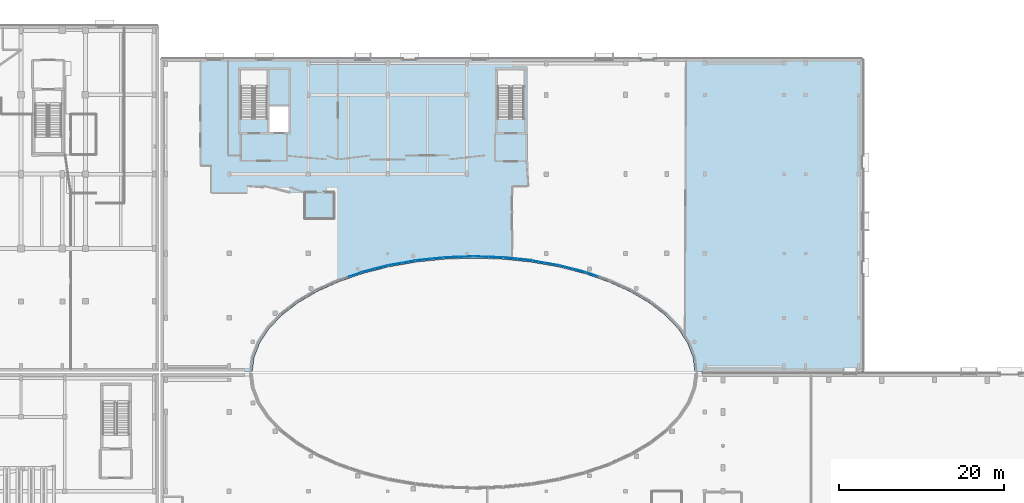
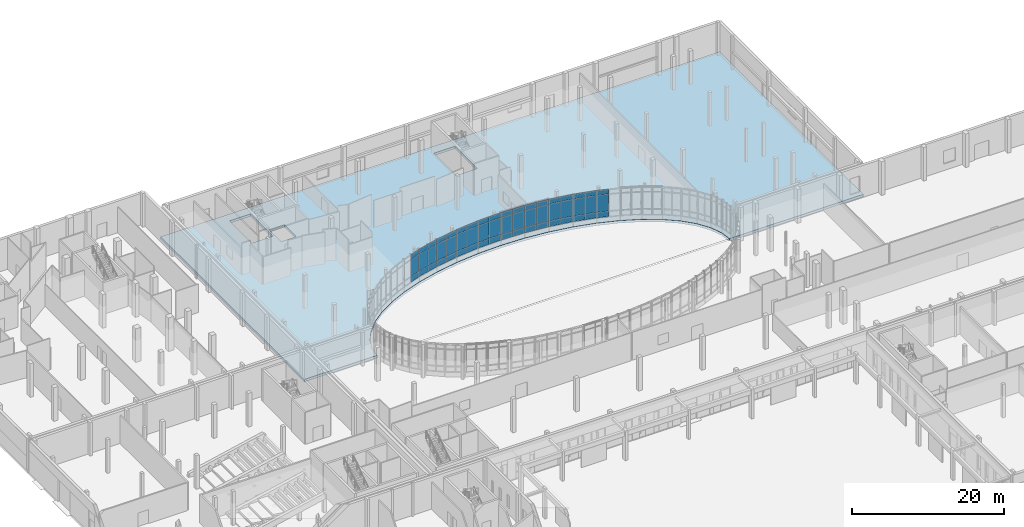
# One storey, part 34 of 84: 54 plates, 1 slab, 10 elements without a shape of their own.
"""IFC4 building model written with IfcOpenShell, lengths in metres."""

from ifc_helpers import new_model, si_unit, direction, frame, origin, origin_2d, place, context, subcontext, project, spatial, polyline, rectangle, outline, extrude, material, layer, layer_set, type_object, element, aggregate, save


model = new_model("IFC4")

# Units and contexts
model_context = context("Model", 3, precision=1e-05, world=origin(), true_north=direction((0.0, 1.0)))
body_context = subcontext(model_context, "Body", "Model", "MODEL_VIEW")
ifc_project = project(units=[si_unit("LENGTHUNIT", "METRE"), si_unit("AREAUNIT", "SQUARE_METRE"), si_unit("VOLUMEUNIT", "CUBIC_METRE"), si_unit("PLANEANGLEUNIT", "RADIAN"), si_unit("MASSUNIT", "GRAM", prefix="KILO")], contexts=[model_context])

# Site, building, storey
site_placement = place(None, origin())
site = spatial("IfcSite", under=ifc_project, at=site_placement, CompositionType="ELEMENT")
building_placement = place(site_placement, origin())
building = spatial("IfcBuilding", under=site, at=building_placement, Name="Mzevani Central Library", CompositionType="ELEMENT")
storey_placement = place(building_placement, origin())
storey = spatial("IfcBuildingStorey", under=building, at=storey_placement, Name="L00", CompositionType="ELEMENT", Elevation=0.0)

# Curtain wall, plate
ifc_material_1 = material(Name="Thermally broken aluminium and Low-E triple glazing", Category="aluminium")
curtain_wall_type_1 = type_object("IfcCurtainWallType", Name="Elliptical Court Unitised Curtain Wall", PredefinedType="NOTDEFINED", material=ifc_material_1)
curtain_wall_1_placement = place(storey_placement, origin())
curtain_wall_1 = element("IfcCurtainWall", 1, at=curtain_wall_1_placement, inside=storey, type_object=curtain_wall_type_1, Name="L00 Elliptical Court Curtain Wall 8", PredefinedType="NOTDEFINED")
ifc_material_2 = material(Name="Thermally broken aluminium AW-6060", Category="aluminium")
ifc_layer_1 = layer(ifc_material_2, 0.0419921875, Name="CW Insulated Spandrel Panel 42")
ifc_layer_set_1 = layer_set([ifc_layer_1], Name="Thermally broken aluminium AW-6060")
plate_type_1 = type_object("IfcPlateType", Name="CW Insulated Spandrel Panel 42", PredefinedType="CURTAIN_PANEL", material=ifc_layer_set_1)
plate_1_placement = place(storey_placement, frame((98.302978515625, 87.84521484375, 0.719970703125), z_axis=(0.0, 0.0, 1.0), x_axis=(-0.945503232512, 0.325612710609, 0.0)))
plate_1 = element("IfcPlate", 2, at=plate_1_placement, type_object=plate_type_1, Name="L00 Elliptical Court Curtain Wall 8 Spandrel Panel 4", PredefinedType="CURTAIN_PANEL", context=body_context, shape_type="SweptSolid", body=[
    extrude(rectangle(XDim=1.54150390625, YDim=0.0419921875, at=origin_2d()), origin(), (0.0, 0.0, 1.0), 0.89990234375),
])

# Curtain wall, plates
curtain_wall_2_placement = place(storey_placement, origin())
curtain_wall_2 = element("IfcCurtainWall", 3, at=curtain_wall_2_placement, inside=storey, type_object=curtain_wall_type_1, Name="L00 Elliptical Court Curtain Wall 9", PredefinedType="NOTDEFINED")
plate_2_placement = place(storey_placement, frame((96.76611328125, 88.320556640625, 0.719970703125), z_axis=(0.0, 0.0, 1.0), x_axis=(-0.969186643336, 0.246327526638, 0.0)))
plate_2 = element("IfcPlate", 4, at=plate_2_placement, type_object=plate_type_1, Name="L00 Elliptical Court Curtain Wall 9 Spandrel Panel 1", PredefinedType="CURTAIN_PANEL", context=body_context, shape_type="SweptSolid", body=[
    extrude(rectangle(XDim=1.6220703125, YDim=0.0419921875, at=origin_2d()), origin(), (0.0, 0.0, 1.0), 0.89990234375),
])
plate_3_placement = place(storey_placement, frame((95.194091796875, 88.72021484375, 0.719970703125), z_axis=(0.0, 0.0, 1.0), x_axis=(-0.969186643336, 0.246327526638, 0.0)))
plate_3 = element("IfcPlate", 5, at=plate_3_placement, type_object=plate_type_1, Name="L00 Elliptical Court Curtain Wall 9 Spandrel Panel 4", PredefinedType="CURTAIN_PANEL", context=body_context, shape_type="SweptSolid", body=[
    extrude(rectangle(XDim=1.6220703125, YDim=0.0419921875, at=origin_2d()), origin(), (0.0, 0.0, 1.0), 0.89990234375),
])

curtain_wall_type_2 = type_object("IfcCurtainWallType", Name="Reading Hall Northlight Curtain Wall", PredefinedType="NOTDEFINED", material=ifc_material_1)
curtain_wall_3_placement = place(storey_placement, origin())
curtain_wall_3 = element("IfcCurtainWall", 6, at=curtain_wall_3_placement, inside=storey, type_object=curtain_wall_type_2, Name="L00 Elliptical Court Curtain Wall 10", PredefinedType="NOTDEFINED")
plate_4_placement = place(storey_placement, frame((93.547119140625, 89.08984375, 0.719970703125), z_axis=(0.0, 0.0, 1.0), x_axis=(-0.985036019044, 0.172348603667, 0.0)))
plate_4 = element("IfcPlate", 7, at=plate_4_placement, type_object=plate_type_1, Name="L00 Elliptical Court Curtain Wall 10 Spandrel Panel 1", PredefinedType="CURTAIN_PANEL", context=body_context, shape_type="SweptSolid", body=[
    extrude(rectangle(XDim=1.68505859375, YDim=0.0419921875, at=origin_2d()), origin(), (0.0, 0.0, 1.0), 0.89990234375),
])
plate_5_placement = place(storey_placement, frame((91.88720703125, 89.380126953125, 0.719970703125), z_axis=(0.0, 0.0, 1.0), x_axis=(-0.985036019044, 0.172348603667, 0.0)))
plate_5 = element("IfcPlate", 8, at=plate_5_placement, type_object=plate_type_1, Name="L00 Elliptical Court Curtain Wall 10 Spandrel Panel 4", PredefinedType="CURTAIN_PANEL", context=body_context, shape_type="SweptSolid", body=[
    extrude(rectangle(XDim=1.68505859375, YDim=0.0419921875, at=origin_2d()), origin(), (0.0, 0.0, 1.0), 0.89990234375),
])

curtain_wall_4_placement = place(storey_placement, origin())
curtain_wall_4 = element("IfcCurtainWall", 9, at=curtain_wall_4_placement, inside=storey, type_object=curtain_wall_type_1, Name="L00 Elliptical Court Curtain Wall 11", PredefinedType="NOTDEFINED")
plate_6_placement = place(storey_placement, frame((90.156005859375, 89.635009765625, 0.719970703125), z_axis=(0.0, 0.0, 1.0), x_axis=(-0.994785735696, 0.101986960228, 0.0)))
plate_6 = element("IfcPlate", 10, at=plate_6_placement, type_object=plate_type_1, Name="L00 Elliptical Court Curtain Wall 11 Spandrel Panel 1", PredefinedType="CURTAIN_PANEL", context=body_context, shape_type="SweptSolid", body=[
    extrude(rectangle(XDim=1.728271484375, YDim=0.0419921875, at=origin_2d()), origin(), (0.0, 0.0, 1.0), 0.89990234375),
])
plate_7_placement = place(storey_placement, frame((88.436767578125, 89.811279296875, 0.719970703125), z_axis=(0.0, 0.0, 1.0), x_axis=(-0.994785735696, 0.101986960228, 0.0)))
plate_7 = element("IfcPlate", 11, at=plate_7_placement, type_object=plate_type_1, Name="L00 Elliptical Court Curtain Wall 11 Spandrel Panel 4", PredefinedType="CURTAIN_PANEL", context=body_context, shape_type="SweptSolid", body=[
    extrude(rectangle(XDim=1.728271484375, YDim=0.0419921875, at=origin_2d()), origin(), (0.0, 0.0, 1.0), 0.89990234375),
])

curtain_wall_5_placement = place(storey_placement, origin())
curtain_wall_5 = element("IfcCurtainWall", 12, at=curtain_wall_5_placement, inside=storey, type_object=curtain_wall_type_1, Name="L00 Elliptical Court Curtain Wall 12", PredefinedType="NOTDEFINED")
plate_8_placement = place(storey_placement, frame((86.6513671875, 89.94189453125, 0.719970703125), z_axis=(0.0, 0.0, 1.0), x_axis=(-0.999429599311, 0.03377093456, 0.0)))
plate_8 = element("IfcPlate", 13, at=plate_8_placement, type_object=plate_type_1, Name="L00 Elliptical Court Curtain Wall 12 Spandrel Panel 1", PredefinedType="CURTAIN_PANEL", context=body_context, shape_type="SweptSolid", body=[
    extrude(rectangle(XDim=1.75, YDim=0.0419921875, at=origin_2d()), origin(), (0.0, 0.0, 1.0), 0.89990234375),
])
plate_9_placement = place(storey_placement, frame((84.90234375, 90.0009765625, 0.719970703125), z_axis=(0.0, 0.0, 1.0), x_axis=(-0.999429599311, 0.03377093456, 0.0)))
plate_9 = element("IfcPlate", 14, at=plate_9_placement, type_object=plate_type_1, Name="L00 Elliptical Court Curtain Wall 12 Spandrel Panel 4", PredefinedType="CURTAIN_PANEL", context=body_context, shape_type="SweptSolid", body=[
    extrude(rectangle(XDim=1.75, YDim=0.0419921875, at=origin_2d()), origin(), (0.0, 0.0, 1.0), 0.89990234375),
])

curtain_wall_6_placement = place(storey_placement, origin())
curtain_wall_6 = element("IfcCurtainWall", 15, at=curtain_wall_6_placement, inside=storey, type_object=curtain_wall_type_2, Name="L00 Elliptical Court Curtain Wall 13", PredefinedType="NOTDEFINED")
plate_10_placement = place(storey_placement, frame((83.09765625, 90.0009765625, 0.719970703125), z_axis=(0.0, 0.0, 1.0), x_axis=(-0.999429599311, -0.03377093456, 0.0)))
plate_10 = element("IfcPlate", 16, at=plate_10_placement, type_object=plate_type_1, Name="L00 Elliptical Court Curtain Wall 13 Spandrel Panel 1", PredefinedType="CURTAIN_PANEL", context=body_context, shape_type="SweptSolid", body=[
    extrude(rectangle(XDim=1.75, YDim=0.0419921875, at=origin_2d()), origin(), (0.0, 0.0, 1.0), 0.89990234375),
])
plate_11_placement = place(storey_placement, frame((81.3486328125, 89.94189453125, 0.719970703125), z_axis=(0.0, 0.0, 1.0), x_axis=(-0.999429599311, -0.03377093456, 0.0)))
plate_11 = element("IfcPlate", 17, at=plate_11_placement, type_object=plate_type_1, Name="L00 Elliptical Court Curtain Wall 13 Spandrel Panel 4", PredefinedType="CURTAIN_PANEL", context=body_context, shape_type="SweptSolid", body=[
    extrude(rectangle(XDim=1.75, YDim=0.0419921875, at=origin_2d()), origin(), (0.0, 0.0, 1.0), 0.89990234375),
])

curtain_wall_7_placement = place(storey_placement, origin())
curtain_wall_7 = element("IfcCurtainWall", 18, at=curtain_wall_7_placement, inside=storey, type_object=curtain_wall_type_1, Name="L00 Elliptical Court Curtain Wall 14", PredefinedType="NOTDEFINED")
plate_12_placement = place(storey_placement, frame((79.563232421875, 89.811279296875, 0.719970703125), z_axis=(0.0, 0.0, 1.0), x_axis=(-0.994785735696, -0.101986960228, 0.0)))
plate_12 = element("IfcPlate", 19, at=plate_12_placement, type_object=plate_type_1, Name="L00 Elliptical Court Curtain Wall 14 Spandrel Panel 1", PredefinedType="CURTAIN_PANEL", context=body_context, shape_type="SweptSolid", body=[
    extrude(rectangle(XDim=1.728271484375, YDim=0.0419921875, at=origin_2d()), origin(), (0.0, 0.0, 1.0), 0.89990234375),
])
plate_13_placement = place(storey_placement, frame((77.843994140625, 89.635009765625, 0.719970703125), z_axis=(0.0, 0.0, 1.0), x_axis=(-0.994785735696, -0.101986960228, 0.0)))
plate_13 = element("IfcPlate", 20, at=plate_13_placement, type_object=plate_type_1, Name="L00 Elliptical Court Curtain Wall 14 Spandrel Panel 4", PredefinedType="CURTAIN_PANEL", context=body_context, shape_type="SweptSolid", body=[
    extrude(rectangle(XDim=1.728271484375, YDim=0.0419921875, at=origin_2d()), origin(), (0.0, 0.0, 1.0), 0.89990234375),
])

curtain_wall_8_placement = place(storey_placement, origin())
curtain_wall_8 = element("IfcCurtainWall", 21, at=curtain_wall_8_placement, inside=storey, type_object=curtain_wall_type_1, Name="L00 Elliptical Court Curtain Wall 15", PredefinedType="NOTDEFINED")
plate_14_placement = place(storey_placement, frame((76.11279296875, 89.380126953125, 0.719970703125), z_axis=(0.0, 0.0, 1.0), x_axis=(-0.985036019044, -0.172348603667, 0.0)))
plate_14 = element("IfcPlate", 22, at=plate_14_placement, type_object=plate_type_1, Name="L00 Elliptical Court Curtain Wall 15 Spandrel Panel 1", PredefinedType="CURTAIN_PANEL", context=body_context, shape_type="SweptSolid", body=[
    extrude(rectangle(XDim=1.68505859375, YDim=0.0419921875, at=origin_2d()), origin(), (0.0, 0.0, 1.0), 0.89990234375),
])
plate_15_placement = place(storey_placement, frame((74.452880859375, 89.08984375, 0.719970703125), z_axis=(0.0, 0.0, 1.0), x_axis=(-0.985036019044, -0.172348603667, 0.0)))
plate_15 = element("IfcPlate", 23, at=plate_15_placement, type_object=plate_type_1, Name="L00 Elliptical Court Curtain Wall 15 Spandrel Panel 4", PredefinedType="CURTAIN_PANEL", context=body_context, shape_type="SweptSolid", body=[
    extrude(rectangle(XDim=1.68505859375, YDim=0.0419921875, at=origin_2d()), origin(), (0.0, 0.0, 1.0), 0.89990234375),
])

curtain_wall_9_placement = place(storey_placement, origin())
curtain_wall_9 = element("IfcCurtainWall", 24, at=curtain_wall_9_placement, inside=storey, type_object=curtain_wall_type_2, Name="L00 Elliptical Court Curtain Wall 16", PredefinedType="NOTDEFINED")
plate_16_placement = place(storey_placement, frame((72.805908203125, 88.72021484375, 0.719970703125), z_axis=(0.0, 0.0, 1.0), x_axis=(-0.969186643336, -0.246327526638, 0.0)))
plate_16 = element("IfcPlate", 25, at=plate_16_placement, type_object=plate_type_1, Name="L00 Elliptical Court Curtain Wall 16 Spandrel Panel 1", PredefinedType="CURTAIN_PANEL", context=body_context, shape_type="SweptSolid", body=[
    extrude(rectangle(XDim=1.6220703125, YDim=0.0419921875, at=origin_2d()), origin(), (0.0, 0.0, 1.0), 0.89990234375),
])
plate_17_placement = place(storey_placement, frame((71.23388671875, 88.320556640625, 0.719970703125), z_axis=(0.0, 0.0, 1.0), x_axis=(-0.969186643336, -0.246327526638, 0.0)))
plate_17 = element("IfcPlate", 26, at=plate_17_placement, type_object=plate_type_1, Name="L00 Elliptical Court Curtain Wall 16 Spandrel Panel 4", PredefinedType="CURTAIN_PANEL", context=body_context, shape_type="SweptSolid", body=[
    extrude(rectangle(XDim=1.6220703125, YDim=0.0419921875, at=origin_2d()), origin(), (0.0, 0.0, 1.0), 0.89990234375),
])

# Curtain wall, plate
curtain_wall_10_placement = place(storey_placement, origin())
curtain_wall_10 = element("IfcCurtainWall", 27, at=curtain_wall_10_placement, inside=storey, type_object=curtain_wall_type_1, Name="L00 Elliptical Court Curtain Wall 17", PredefinedType="NOTDEFINED")
plate_18_placement = place(storey_placement, frame((69.697021484375, 87.84521484375, 0.719970703125), z_axis=(0.0, 0.0, 1.0), x_axis=(-0.945503232512, -0.325612710609, 0.0)))
plate_18 = element("IfcPlate", 28, at=plate_18_placement, type_object=plate_type_1, Name="L00 Elliptical Court Curtain Wall 17 Spandrel Panel 1", PredefinedType="CURTAIN_PANEL", context=body_context, shape_type="SweptSolid", body=[
    extrude(rectangle(XDim=1.54150390625, YDim=0.0419921875, at=origin_2d()), origin(), (0.0, 0.0, 1.0), 0.89990234375),
])

# Plate
ifc_material_3 = material(Name="Low-E triple glazing glass", Category="glass")
ifc_layer_2 = layer(ifc_material_3, 0.028076171875, Name="CW Triple Glazed Vision Panel 28")
ifc_layer_set_2 = layer_set([ifc_layer_2], Name="Low-E triple glazing glass")
plate_type_2 = type_object("IfcPlateType", Name="CW Triple Glazed Vision Panel 28", PredefinedType="CURTAIN_PANEL", material=ifc_layer_set_2)
plate_19_placement = place(storey_placement, frame((98.302978515625, 87.84521484375, 1.6201171875), z_axis=(0.0, 0.0, 1.0), x_axis=(-0.945503232512, 0.325612710609, 0.0)))
plate_19 = element("IfcPlate", 29, at=plate_19_placement, type_object=plate_type_2, Name="L00 Elliptical Court Curtain Wall 8 Vision Panel 5", PredefinedType="CURTAIN_PANEL", context=body_context, shape_type="SweptSolid", body=[
    extrude(rectangle(XDim=1.54150390625, YDim=0.028076171875, at=origin_2d()), origin(), (0.0, 0.0, 1.0), 2.75),
])

plate_20_placement = place(storey_placement, frame((98.302978515625, 87.84521484375, 4.3701171875), z_axis=(0.0, 0.0, 1.0), x_axis=(-0.945503232512, 0.325612710609, 0.0)))
plate_20 = element("IfcPlate", 30, at=plate_20_placement, type_object=plate_type_2, Name="L00 Elliptical Court Curtain Wall 8 Vision Panel 6", PredefinedType="CURTAIN_PANEL", context=body_context, shape_type="SweptSolid", body=[
    extrude(rectangle(XDim=1.54150390625, YDim=0.028076171875, at=origin_2d()), origin(), (0.0, 0.0, 1.0), 0.75),
])

aggregate(curtain_wall_1, [plate_1, plate_19, plate_20])

plate_21_placement = place(storey_placement, frame((96.76611328125, 88.320556640625, 1.6201171875), z_axis=(0.0, 0.0, 1.0), x_axis=(-0.969186643336, 0.246327526638, 0.0)))
plate_21 = element("IfcPlate", 31, at=plate_21_placement, type_object=plate_type_2, Name="L00 Elliptical Court Curtain Wall 9 Vision Panel 2", PredefinedType="CURTAIN_PANEL", context=body_context, shape_type="SweptSolid", body=[
    extrude(rectangle(XDim=1.6220703125, YDim=0.028076171875, at=origin_2d()), origin(), (0.0, 0.0, 1.0), 2.75),
])

plate_22_placement = place(storey_placement, frame((96.76611328125, 88.320556640625, 4.3701171875), z_axis=(0.0, 0.0, 1.0), x_axis=(-0.969186643336, 0.246327526638, 0.0)))
plate_22 = element("IfcPlate", 32, at=plate_22_placement, type_object=plate_type_2, Name="L00 Elliptical Court Curtain Wall 9 Vision Panel 3", PredefinedType="CURTAIN_PANEL", context=body_context, shape_type="SweptSolid", body=[
    extrude(rectangle(XDim=1.6220703125, YDim=0.028076171875, at=origin_2d()), origin(), (0.0, 0.0, 1.0), 0.75),
])

plate_23_placement = place(storey_placement, frame((95.194091796875, 88.72021484375, 1.6201171875), z_axis=(0.0, 0.0, 1.0), x_axis=(-0.969186643336, 0.246327526638, 0.0)))
plate_23 = element("IfcPlate", 33, at=plate_23_placement, type_object=plate_type_2, Name="L00 Elliptical Court Curtain Wall 9 Vision Panel 5", PredefinedType="CURTAIN_PANEL", context=body_context, shape_type="SweptSolid", body=[
    extrude(rectangle(XDim=1.6220703125, YDim=0.028076171875, at=origin_2d()), origin(), (0.0, 0.0, 1.0), 2.75),
])

plate_24_placement = place(storey_placement, frame((95.194091796875, 88.72021484375, 4.3701171875), z_axis=(0.0, 0.0, 1.0), x_axis=(-0.969186643336, 0.246327526638, 0.0)))
plate_24 = element("IfcPlate", 34, at=plate_24_placement, type_object=plate_type_2, Name="L00 Elliptical Court Curtain Wall 9 Vision Panel 6", PredefinedType="CURTAIN_PANEL", context=body_context, shape_type="SweptSolid", body=[
    extrude(rectangle(XDim=1.6220703125, YDim=0.028076171875, at=origin_2d()), origin(), (0.0, 0.0, 1.0), 0.75),
])

aggregate(curtain_wall_2, [plate_2, plate_21, plate_22, plate_3, plate_23, plate_24])

plate_25_placement = place(storey_placement, frame((93.547119140625, 89.08984375, 1.6201171875), z_axis=(0.0, 0.0, 1.0), x_axis=(-0.985036019044, 0.172348603667, 0.0)))
plate_25 = element("IfcPlate", 35, at=plate_25_placement, type_object=plate_type_2, Name="L00 Elliptical Court Curtain Wall 10 Vision Panel 2", PredefinedType="CURTAIN_PANEL", context=body_context, shape_type="SweptSolid", body=[
    extrude(rectangle(XDim=1.68505859375, YDim=0.028076171875, at=origin_2d()), origin(), (0.0, 0.0, 1.0), 2.75),
])

plate_26_placement = place(storey_placement, frame((93.547119140625, 89.08984375, 4.3701171875), z_axis=(0.0, 0.0, 1.0), x_axis=(-0.985036019044, 0.172348603667, 0.0)))
plate_26 = element("IfcPlate", 36, at=plate_26_placement, type_object=plate_type_2, Name="L00 Elliptical Court Curtain Wall 10 Vision Panel 3", PredefinedType="CURTAIN_PANEL", context=body_context, shape_type="SweptSolid", body=[
    extrude(rectangle(XDim=1.68505859375, YDim=0.028076171875, at=origin_2d()), origin(), (0.0, 0.0, 1.0), 0.75),
])

plate_27_placement = place(storey_placement, frame((91.88720703125, 89.380126953125, 1.6201171875), z_axis=(0.0, 0.0, 1.0), x_axis=(-0.985036019044, 0.172348603667, 0.0)))
plate_27 = element("IfcPlate", 37, at=plate_27_placement, type_object=plate_type_2, Name="L00 Elliptical Court Curtain Wall 10 Vision Panel 5", PredefinedType="CURTAIN_PANEL", context=body_context, shape_type="SweptSolid", body=[
    extrude(rectangle(XDim=1.68505859375, YDim=0.028076171875, at=origin_2d()), origin(), (0.0, 0.0, 1.0), 2.75),
])

plate_28_placement = place(storey_placement, frame((91.88720703125, 89.380126953125, 4.3701171875), z_axis=(0.0, 0.0, 1.0), x_axis=(-0.985036019044, 0.172348603667, 0.0)))
plate_28 = element("IfcPlate", 38, at=plate_28_placement, type_object=plate_type_2, Name="L00 Elliptical Court Curtain Wall 10 Vision Panel 6", PredefinedType="CURTAIN_PANEL", context=body_context, shape_type="SweptSolid", body=[
    extrude(rectangle(XDim=1.68505859375, YDim=0.028076171875, at=origin_2d()), origin(), (0.0, 0.0, 1.0), 0.75),
])

aggregate(curtain_wall_3, [plate_4, plate_25, plate_26, plate_5, plate_27, plate_28])

plate_29_placement = place(storey_placement, frame((90.156005859375, 89.635009765625, 1.6201171875), z_axis=(0.0, 0.0, 1.0), x_axis=(-0.994785735696, 0.101986960228, 0.0)))
plate_29 = element("IfcPlate", 39, at=plate_29_placement, type_object=plate_type_2, Name="L00 Elliptical Court Curtain Wall 11 Vision Panel 2", PredefinedType="CURTAIN_PANEL", context=body_context, shape_type="SweptSolid", body=[
    extrude(rectangle(XDim=1.728271484375, YDim=0.028076171875, at=origin_2d()), origin(), (0.0, 0.0, 1.0), 2.75),
])

plate_30_placement = place(storey_placement, frame((90.156005859375, 89.635009765625, 4.3701171875), z_axis=(0.0, 0.0, 1.0), x_axis=(-0.994785735696, 0.101986960228, 0.0)))
plate_30 = element("IfcPlate", 40, at=plate_30_placement, type_object=plate_type_2, Name="L00 Elliptical Court Curtain Wall 11 Vision Panel 3", PredefinedType="CURTAIN_PANEL", context=body_context, shape_type="SweptSolid", body=[
    extrude(rectangle(XDim=1.728271484375, YDim=0.028076171875, at=origin_2d()), origin(), (0.0, 0.0, 1.0), 0.75),
])

plate_31_placement = place(storey_placement, frame((88.436767578125, 89.811279296875, 1.6201171875), z_axis=(0.0, 0.0, 1.0), x_axis=(-0.994785735696, 0.101986960228, 0.0)))
plate_31 = element("IfcPlate", 41, at=plate_31_placement, type_object=plate_type_2, Name="L00 Elliptical Court Curtain Wall 11 Vision Panel 5", PredefinedType="CURTAIN_PANEL", context=body_context, shape_type="SweptSolid", body=[
    extrude(rectangle(XDim=1.728271484375, YDim=0.028076171875, at=origin_2d()), origin(), (0.0, 0.0, 1.0), 2.75),
])

plate_32_placement = place(storey_placement, frame((88.436767578125, 89.811279296875, 4.3701171875), z_axis=(0.0, 0.0, 1.0), x_axis=(-0.994785735696, 0.101986960228, 0.0)))
plate_32 = element("IfcPlate", 42, at=plate_32_placement, type_object=plate_type_2, Name="L00 Elliptical Court Curtain Wall 11 Vision Panel 6", PredefinedType="CURTAIN_PANEL", context=body_context, shape_type="SweptSolid", body=[
    extrude(rectangle(XDim=1.728271484375, YDim=0.028076171875, at=origin_2d()), origin(), (0.0, 0.0, 1.0), 0.75),
])

aggregate(curtain_wall_4, [plate_6, plate_29, plate_30, plate_7, plate_31, plate_32])

plate_33_placement = place(storey_placement, frame((86.6513671875, 89.94189453125, 1.6201171875), z_axis=(0.0, 0.0, 1.0), x_axis=(-0.999429599311, 0.03377093456, 0.0)))
plate_33 = element("IfcPlate", 43, at=plate_33_placement, type_object=plate_type_2, Name="L00 Elliptical Court Curtain Wall 12 Vision Panel 2", PredefinedType="CURTAIN_PANEL", context=body_context, shape_type="SweptSolid", body=[
    extrude(rectangle(XDim=1.75, YDim=0.028076171875, at=origin_2d()), origin(), (0.0, 0.0, 1.0), 2.75),
])

plate_34_placement = place(storey_placement, frame((86.6513671875, 89.94189453125, 4.3701171875), z_axis=(0.0, 0.0, 1.0), x_axis=(-0.999429599311, 0.03377093456, 0.0)))
plate_34 = element("IfcPlate", 44, at=plate_34_placement, type_object=plate_type_2, Name="L00 Elliptical Court Curtain Wall 12 Vision Panel 3", PredefinedType="CURTAIN_PANEL", context=body_context, shape_type="SweptSolid", body=[
    extrude(rectangle(XDim=1.75, YDim=0.028076171875, at=origin_2d()), origin(), (0.0, 0.0, 1.0), 0.75),
])

plate_35_placement = place(storey_placement, frame((84.90234375, 90.0009765625, 1.6201171875), z_axis=(0.0, 0.0, 1.0), x_axis=(-0.999429599311, 0.03377093456, 0.0)))
plate_35 = element("IfcPlate", 45, at=plate_35_placement, type_object=plate_type_2, Name="L00 Elliptical Court Curtain Wall 12 Vision Panel 5", PredefinedType="CURTAIN_PANEL", context=body_context, shape_type="SweptSolid", body=[
    extrude(rectangle(XDim=1.75, YDim=0.028076171875, at=origin_2d()), origin(), (0.0, 0.0, 1.0), 2.75),
])

plate_36_placement = place(storey_placement, frame((84.90234375, 90.0009765625, 4.3701171875), z_axis=(0.0, 0.0, 1.0), x_axis=(-0.999429599311, 0.03377093456, 0.0)))
plate_36 = element("IfcPlate", 46, at=plate_36_placement, type_object=plate_type_2, Name="L00 Elliptical Court Curtain Wall 12 Vision Panel 6", PredefinedType="CURTAIN_PANEL", context=body_context, shape_type="SweptSolid", body=[
    extrude(rectangle(XDim=1.75, YDim=0.028076171875, at=origin_2d()), origin(), (0.0, 0.0, 1.0), 0.75),
])

aggregate(curtain_wall_5, [plate_8, plate_33, plate_34, plate_9, plate_35, plate_36])

plate_37_placement = place(storey_placement, frame((83.09765625, 90.0009765625, 1.6201171875), z_axis=(0.0, 0.0, 1.0), x_axis=(-0.999429599311, -0.03377093456, 0.0)))
plate_37 = element("IfcPlate", 47, at=plate_37_placement, type_object=plate_type_2, Name="L00 Elliptical Court Curtain Wall 13 Vision Panel 2", PredefinedType="CURTAIN_PANEL", context=body_context, shape_type="SweptSolid", body=[
    extrude(rectangle(XDim=1.75, YDim=0.028076171875, at=origin_2d()), origin(), (0.0, 0.0, 1.0), 2.75),
])

plate_38_placement = place(storey_placement, frame((83.09765625, 90.0009765625, 4.3701171875), z_axis=(0.0, 0.0, 1.0), x_axis=(-0.999429599311, -0.03377093456, 0.0)))
plate_38 = element("IfcPlate", 48, at=plate_38_placement, type_object=plate_type_2, Name="L00 Elliptical Court Curtain Wall 13 Vision Panel 3", PredefinedType="CURTAIN_PANEL", context=body_context, shape_type="SweptSolid", body=[
    extrude(rectangle(XDim=1.75, YDim=0.028076171875, at=origin_2d()), origin(), (0.0, 0.0, 1.0), 0.75),
])

plate_39_placement = place(storey_placement, frame((81.3486328125, 89.94189453125, 1.6201171875), z_axis=(0.0, 0.0, 1.0), x_axis=(-0.999429599311, -0.03377093456, 0.0)))
plate_39 = element("IfcPlate", 49, at=plate_39_placement, type_object=plate_type_2, Name="L00 Elliptical Court Curtain Wall 13 Vision Panel 5", PredefinedType="CURTAIN_PANEL", context=body_context, shape_type="SweptSolid", body=[
    extrude(rectangle(XDim=1.75, YDim=0.028076171875, at=origin_2d()), origin(), (0.0, 0.0, 1.0), 2.75),
])

plate_40_placement = place(storey_placement, frame((81.3486328125, 89.94189453125, 4.3701171875), z_axis=(0.0, 0.0, 1.0), x_axis=(-0.999429599311, -0.03377093456, 0.0)))
plate_40 = element("IfcPlate", 50, at=plate_40_placement, type_object=plate_type_2, Name="L00 Elliptical Court Curtain Wall 13 Vision Panel 6", PredefinedType="CURTAIN_PANEL", context=body_context, shape_type="SweptSolid", body=[
    extrude(rectangle(XDim=1.75, YDim=0.028076171875, at=origin_2d()), origin(), (0.0, 0.0, 1.0), 0.75),
])

aggregate(curtain_wall_6, [plate_10, plate_37, plate_38, plate_11, plate_39, plate_40])

plate_41_placement = place(storey_placement, frame((79.563232421875, 89.811279296875, 1.6201171875), z_axis=(0.0, 0.0, 1.0), x_axis=(-0.994785735696, -0.101986960228, 0.0)))
plate_41 = element("IfcPlate", 51, at=plate_41_placement, type_object=plate_type_2, Name="L00 Elliptical Court Curtain Wall 14 Vision Panel 2", PredefinedType="CURTAIN_PANEL", context=body_context, shape_type="SweptSolid", body=[
    extrude(rectangle(XDim=1.728271484375, YDim=0.028076171875, at=origin_2d()), origin(), (0.0, 0.0, 1.0), 2.75),
])

plate_42_placement = place(storey_placement, frame((79.563232421875, 89.811279296875, 4.3701171875), z_axis=(0.0, 0.0, 1.0), x_axis=(-0.994785735696, -0.101986960228, 0.0)))
plate_42 = element("IfcPlate", 52, at=plate_42_placement, type_object=plate_type_2, Name="L00 Elliptical Court Curtain Wall 14 Vision Panel 3", PredefinedType="CURTAIN_PANEL", context=body_context, shape_type="SweptSolid", body=[
    extrude(rectangle(XDim=1.728271484375, YDim=0.028076171875, at=origin_2d()), origin(), (0.0, 0.0, 1.0), 0.75),
])

plate_43_placement = place(storey_placement, frame((77.843994140625, 89.635009765625, 1.6201171875), z_axis=(0.0, 0.0, 1.0), x_axis=(-0.994785735696, -0.101986960228, 0.0)))
plate_43 = element("IfcPlate", 53, at=plate_43_placement, type_object=plate_type_2, Name="L00 Elliptical Court Curtain Wall 14 Vision Panel 5", PredefinedType="CURTAIN_PANEL", context=body_context, shape_type="SweptSolid", body=[
    extrude(rectangle(XDim=1.728271484375, YDim=0.028076171875, at=origin_2d()), origin(), (0.0, 0.0, 1.0), 2.75),
])

plate_44_placement = place(storey_placement, frame((77.843994140625, 89.635009765625, 4.3701171875), z_axis=(0.0, 0.0, 1.0), x_axis=(-0.994785735696, -0.101986960228, 0.0)))
plate_44 = element("IfcPlate", 54, at=plate_44_placement, type_object=plate_type_2, Name="L00 Elliptical Court Curtain Wall 14 Vision Panel 6", PredefinedType="CURTAIN_PANEL", context=body_context, shape_type="SweptSolid", body=[
    extrude(rectangle(XDim=1.728271484375, YDim=0.028076171875, at=origin_2d()), origin(), (0.0, 0.0, 1.0), 0.75),
])

aggregate(curtain_wall_7, [plate_12, plate_41, plate_42, plate_13, plate_43, plate_44])

plate_45_placement = place(storey_placement, frame((76.11279296875, 89.380126953125, 1.6201171875), z_axis=(0.0, 0.0, 1.0), x_axis=(-0.985036019044, -0.172348603667, 0.0)))
plate_45 = element("IfcPlate", 55, at=plate_45_placement, type_object=plate_type_2, Name="L00 Elliptical Court Curtain Wall 15 Vision Panel 2", PredefinedType="CURTAIN_PANEL", context=body_context, shape_type="SweptSolid", body=[
    extrude(rectangle(XDim=1.68505859375, YDim=0.028076171875, at=origin_2d()), origin(), (0.0, 0.0, 1.0), 2.75),
])

plate_46_placement = place(storey_placement, frame((76.11279296875, 89.380126953125, 4.3701171875), z_axis=(0.0, 0.0, 1.0), x_axis=(-0.985036019044, -0.172348603667, 0.0)))
plate_46 = element("IfcPlate", 56, at=plate_46_placement, type_object=plate_type_2, Name="L00 Elliptical Court Curtain Wall 15 Vision Panel 3", PredefinedType="CURTAIN_PANEL", context=body_context, shape_type="SweptSolid", body=[
    extrude(rectangle(XDim=1.68505859375, YDim=0.028076171875, at=origin_2d()), origin(), (0.0, 0.0, 1.0), 0.75),
])

plate_47_placement = place(storey_placement, frame((74.452880859375, 89.08984375, 1.6201171875), z_axis=(0.0, 0.0, 1.0), x_axis=(-0.985036019044, -0.172348603667, 0.0)))
plate_47 = element("IfcPlate", 57, at=plate_47_placement, type_object=plate_type_2, Name="L00 Elliptical Court Curtain Wall 15 Vision Panel 5", PredefinedType="CURTAIN_PANEL", context=body_context, shape_type="SweptSolid", body=[
    extrude(rectangle(XDim=1.68505859375, YDim=0.028076171875, at=origin_2d()), origin(), (0.0, 0.0, 1.0), 2.75),
])

plate_48_placement = place(storey_placement, frame((74.452880859375, 89.08984375, 4.3701171875), z_axis=(0.0, 0.0, 1.0), x_axis=(-0.985036019044, -0.172348603667, 0.0)))
plate_48 = element("IfcPlate", 58, at=plate_48_placement, type_object=plate_type_2, Name="L00 Elliptical Court Curtain Wall 15 Vision Panel 6", PredefinedType="CURTAIN_PANEL", context=body_context, shape_type="SweptSolid", body=[
    extrude(rectangle(XDim=1.68505859375, YDim=0.028076171875, at=origin_2d()), origin(), (0.0, 0.0, 1.0), 0.75),
])

aggregate(curtain_wall_8, [plate_14, plate_45, plate_46, plate_15, plate_47, plate_48])

plate_49_placement = place(storey_placement, frame((72.805908203125, 88.72021484375, 1.6201171875), z_axis=(0.0, 0.0, 1.0), x_axis=(-0.969186643336, -0.246327526638, 0.0)))
plate_49 = element("IfcPlate", 59, at=plate_49_placement, type_object=plate_type_2, Name="L00 Elliptical Court Curtain Wall 16 Vision Panel 2", PredefinedType="CURTAIN_PANEL", context=body_context, shape_type="SweptSolid", body=[
    extrude(rectangle(XDim=1.6220703125, YDim=0.028076171875, at=origin_2d()), origin(), (0.0, 0.0, 1.0), 2.75),
])

plate_50_placement = place(storey_placement, frame((72.805908203125, 88.72021484375, 4.3701171875), z_axis=(0.0, 0.0, 1.0), x_axis=(-0.969186643336, -0.246327526638, 0.0)))
plate_50 = element("IfcPlate", 60, at=plate_50_placement, type_object=plate_type_2, Name="L00 Elliptical Court Curtain Wall 16 Vision Panel 3", PredefinedType="CURTAIN_PANEL", context=body_context, shape_type="SweptSolid", body=[
    extrude(rectangle(XDim=1.6220703125, YDim=0.028076171875, at=origin_2d()), origin(), (0.0, 0.0, 1.0), 0.75),
])

plate_51_placement = place(storey_placement, frame((71.23388671875, 88.320556640625, 1.6201171875), z_axis=(0.0, 0.0, 1.0), x_axis=(-0.969186643336, -0.246327526638, 0.0)))
plate_51 = element("IfcPlate", 61, at=plate_51_placement, type_object=plate_type_2, Name="L00 Elliptical Court Curtain Wall 16 Vision Panel 5", PredefinedType="CURTAIN_PANEL", context=body_context, shape_type="SweptSolid", body=[
    extrude(rectangle(XDim=1.6220703125, YDim=0.028076171875, at=origin_2d()), origin(), (0.0, 0.0, 1.0), 2.75),
])

plate_52_placement = place(storey_placement, frame((71.23388671875, 88.320556640625, 4.3701171875), z_axis=(0.0, 0.0, 1.0), x_axis=(-0.969186643336, -0.246327526638, 0.0)))
plate_52 = element("IfcPlate", 62, at=plate_52_placement, type_object=plate_type_2, Name="L00 Elliptical Court Curtain Wall 16 Vision Panel 6", PredefinedType="CURTAIN_PANEL", context=body_context, shape_type="SweptSolid", body=[
    extrude(rectangle(XDim=1.6220703125, YDim=0.028076171875, at=origin_2d()), origin(), (0.0, 0.0, 1.0), 0.75),
])

aggregate(curtain_wall_9, [plate_16, plate_49, plate_50, plate_17, plate_51, plate_52])

plate_53_placement = place(storey_placement, frame((69.697021484375, 87.84521484375, 1.6201171875), z_axis=(0.0, 0.0, 1.0), x_axis=(-0.945503232512, -0.325612710609, 0.0)))
plate_53 = element("IfcPlate", 63, at=plate_53_placement, type_object=plate_type_2, Name="L00 Elliptical Court Curtain Wall 17 Vision Panel 2", PredefinedType="CURTAIN_PANEL", context=body_context, shape_type="SweptSolid", body=[
    extrude(rectangle(XDim=1.54150390625, YDim=0.028076171875, at=origin_2d()), origin(), (0.0, 0.0, 1.0), 2.75),
])

plate_54_placement = place(storey_placement, frame((69.697021484375, 87.84521484375, 4.3701171875), z_axis=(0.0, 0.0, 1.0), x_axis=(-0.945503232512, -0.325612710609, 0.0)))
plate_54 = element("IfcPlate", 64, at=plate_54_placement, type_object=plate_type_2, Name="L00 Elliptical Court Curtain Wall 17 Vision Panel 3", PredefinedType="CURTAIN_PANEL", context=body_context, shape_type="SweptSolid", body=[
    extrude(rectangle(XDim=1.54150390625, YDim=0.028076171875, at=origin_2d()), origin(), (0.0, 0.0, 1.0), 0.75),
])

aggregate(curtain_wall_10, [plate_18, plate_53, plate_54])

# Slab
ifc_material_4 = material(Name="Concrete C35/45", Category="concrete")
ifc_layer_3 = layer(ifc_material_4, 0.280029296875, Name="Open Stack Floor Slab 280")
ifc_layer_set_3 = layer_set([ifc_layer_3], Name="Concrete C35/45")
slab_type = type_object("IfcSlabType", Name="Open Stack Floor Slab 280", PredefinedType="FLOOR", material=ifc_layer_set_3)
slab_placement = place(storey_placement, frame((0.0, 0.0, -0.39990234375)))
element("IfcSlab", 65, at=slab_placement, inside=storey, type_object=slab_type, Name="L00 V3 Structural Slab FS-03", PredefinedType="FLOOR", context=body_context, shape_type="SweptSolid", body=[
    extrude(outline(polyline([(46.10009765625, 76.10009765625), (46.10009765625, 114.0), (131.199951171875, 114.0), (131.199951171875, 76.10009765625), (110.787353515625, 76.10009765625), (110.57080078125, 77.802978515625), (109.88671875, 79.574951171875), (108.760009765625, 81.28564453125), (107.20947265625, 82.90625), (105.261962890625, 84.408447265625), (102.950439453125, 85.766845703125), (100.314697265625, 86.9580078125), (97.39990234375, 87.9619140625), (94.255859375, 88.760986328125), (90.936279296875, 89.341796875), (87.498046875, 89.694091796875), (84.0, 89.812255859375), (80.501953125, 89.694091796875), (77.063720703125, 89.341796875), (73.744140625, 88.760986328125), (70.60009765625, 87.9619140625), (67.685302734375, 86.9580078125), (65.049560546875, 85.766845703125), (62.738037109375, 84.408447265625), (60.79052734375, 82.90625), (59.239990234375, 81.28564453125), (58.11328125, 79.574951171875), (57.42919921875, 77.802978515625), (57.212646484375, 76.10009765625), (46.10009765625, 76.10009765625)]), holes=[polyline([(59.0, 106.699951171875), (59.0, 112.60009765625), (55.800048828125, 112.60009765625), (55.800048828125, 106.699951171875), (59.0, 106.699951171875)]), polyline([(59.300048828125, 105.10009765625), (61.60009765625, 105.10009765625), (61.60009765625, 108.199951171875), (59.300048828125, 108.199951171875), (59.300048828125, 105.10009765625)]), polyline([(90.10009765625, 106.699951171875), (90.10009765625, 112.60009765625), (86.89990234375, 112.60009765625), (86.89990234375, 106.699951171875), (90.10009765625, 106.699951171875)])]), origin(), (0.0, 0.0, 1.0), 0.39990234375),
])

save(model, "model.ifc")
